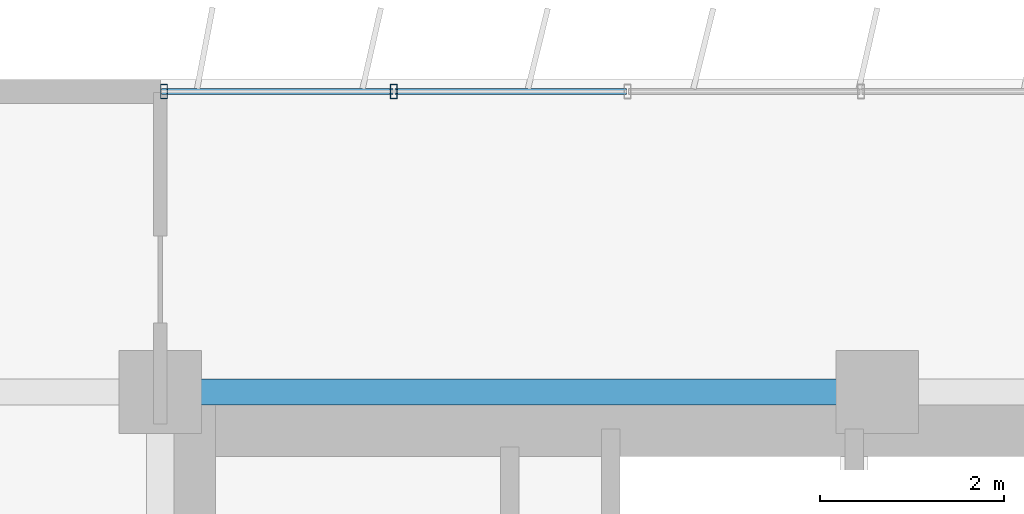
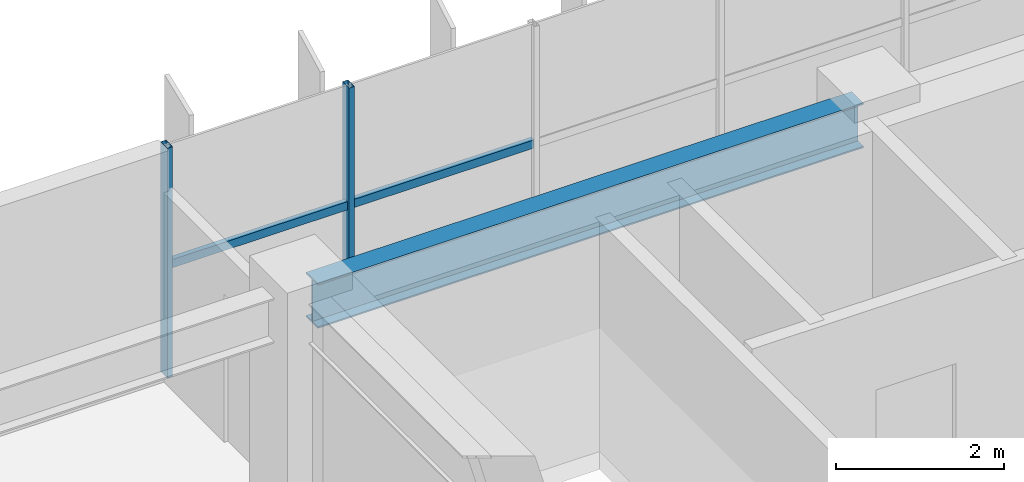
# One storey, part 5 of 21: 4 members, 1 beam, 1 element without a shape of its own.
"""IFC4 building model written with IfcOpenShell, lengths in metres."""

from ifc_helpers import new_model, si_unit, direction, frame, origin, origin_2d, place, context, subcontext, project, spatial, hollow_rectangle, i_section, extrude, source, transform, mapped, material, material_profile, profile_set, type_object, element, aggregate, save


model = new_model("IFC4")

# Units and contexts
model_context = context("Model", 3, precision=1e-05, world=origin(), true_north=direction((0.0, 1.0)))
body_context = subcontext(model_context, "Body", "Model", "MODEL_VIEW")
ifc_project = project(units=[si_unit("LENGTHUNIT", "METRE"), si_unit("AREAUNIT", "SQUARE_METRE"), si_unit("VOLUMEUNIT", "CUBIC_METRE"), si_unit("PLANEANGLEUNIT", "RADIAN"), si_unit("MASSUNIT", "GRAM", prefix="KILO")], contexts=[model_context])

# Site, building, storey
site_placement = place(None, origin())
site = spatial("IfcSite", under=ifc_project, at=site_placement, CompositionType="ELEMENT")
building_placement = place(site_placement, origin())
building = spatial("IfcBuilding", under=site, at=building_placement, Name="Trelvane Seafront Commons", CompositionType="ELEMENT")
storey_placement = place(building_placement, frame((0.0, 0.0, 37.89990234375)))
storey = spatial("IfcBuildingStorey", under=building, at=storey_placement, Name="L09", CompositionType="ELEMENT", Elevation=37.89990234375)

# Beam
ifc_material_1 = material(Name="Steel SM355 (S355)", Category="steel")
ifc_material_profile_1 = material_profile(ifc_material_1, i_section(OverallWidth=0.280029296875, OverallDepth=0.64990234375, WebThickness=0.012939453125, FlangeThickness=0.02197265625, at=origin_2d()), Name="H-650x280x13x22")
ifc_profile_set_1 = profile_set([ifc_material_profile_1], Name="Steel SM355 (S355)")
beam_type = type_object("IfcBeamType", Name="STR-BM-H650", PredefinedType="BEAM", material=ifc_profile_set_1)
shared_shape_1 = source(origin(), body_context, "Body", "SweptSolid", [
    extrude(i_section(OverallWidth=0.280029296875, OverallDepth=0.64990234375, WebThickness=0.012939453125, FlangeThickness=0.02197265625, at=origin_2d()), origin(), (0.0, 0.0, 1.0), 7.5),
])
beam_placement = place(storey_placement, frame((15.75, 45.10009765625, 3.01513671875), z_axis=(1.0, 0.0, 0.0), x_axis=(0.0, 1.0, 0.0)))
element("IfcBeam", 1, at=beam_placement, inside=storey, type_object=beam_type, Name="L09 Primary Girder G-30", PredefinedType="BEAM", context=body_context, shape_type="MappedRepresentation", body=[
    mapped(shared_shape_1, transform((0.0, 0.0, 0.0), x_axis=(1.0, 0.0, 0.0), y_axis=(0.0, 1.0, 0.0), z_axis=(0.0, 0.0, 1.0), scale=1.0)),
])

# Curtain wall, members
ifc_material_2 = material(Name="Anodised pale-silver aluminium", Category="aluminium")
curtain_wall_type = type_object("IfcCurtainWallType", Name="ARCH-CW2-LOWTOWER", PredefinedType="NOTDEFINED", material=ifc_material_2)
curtain_wall_placement = place(storey_placement, origin())
curtain_wall = element("IfcCurtainWall", 2, at=curtain_wall_placement, inside=storey, type_object=curtain_wall_type, Name="CW-L09-0033", PredefinedType="NOTDEFINED")
ifc_material_profile_2 = material_profile(ifc_material_2, hollow_rectangle(XDim=0.074951171875, YDim=0.159912109375, WallThickness=0.00390625, at=origin_2d()), Name="MULL-75x160x4")
ifc_profile_set_2 = profile_set([ifc_material_profile_2], Name="Anodised pale-silver aluminium")
member_type_1 = type_object("IfcMemberType", Name="ARCH-CW-MULL-160", PredefinedType="MULLION", material=ifc_profile_set_2)
shared_shape_2 = source(origin(), body_context, "Body", "SweptSolid", [
    extrude(hollow_rectangle(XDim=0.074951171875, YDim=0.159912109375, WallThickness=0.00390625, at=origin_2d()), origin(), (0.0, 0.0, 1.0), 3.340087890625),
])
member_1_placement = place(storey_placement, frame((15.639892578125, 48.3701171875, 0.0), z_axis=(0.0, 0.0, 1.0), x_axis=(1.0, 0.0, 0.0)))
member_1 = element("IfcMember", 3, at=member_1_placement, type_object=member_type_1, Name="CW-L09-0033-M00", PredefinedType="MULLION", context=body_context, shape_type="MappedRepresentation", body=[
    mapped(shared_shape_2, transform((0.0, 0.0, 0.0), x_axis=(1.0, 0.0, 0.0), y_axis=(0.0, 1.0, 0.0), z_axis=(0.0, 0.0, 1.0), scale=1.0)),
])
member_2_placement = place(storey_placement, frame((18.14111328125, 48.3701171875, 0.0), z_axis=(0.0, 0.0, 1.0), x_axis=(1.0, 0.0, 0.0)))
member_2 = element("IfcMember", 4, at=member_2_placement, type_object=member_type_1, Name="CW-L09-0033-M01", PredefinedType="MULLION", context=body_context, shape_type="MappedRepresentation", body=[
    mapped(shared_shape_2, transform((0.0, 0.0, 0.0), x_axis=(1.0, 0.0, 0.0), y_axis=(0.0, 1.0, 0.0), z_axis=(0.0, 0.0, 1.0), scale=1.0)),
])
ifc_material_profile_3 = material_profile(ifc_material_2, hollow_rectangle(XDim=0.070068359375, YDim=0.1201171875, WallThickness=0.00390625, at=origin_2d()), Name="TRAN-70x120x4")
ifc_profile_set_3 = profile_set([ifc_material_profile_3], Name="Anodised pale-silver aluminium")
member_type_2 = type_object("IfcMemberType", Name="ARCH-CW-TRAN-120", PredefinedType="USERDEFINED", material=ifc_profile_set_3)
shared_shape_3 = source(origin(), body_context, "Body", "SweptSolid", [
    extrude(hollow_rectangle(XDim=0.070068359375, YDim=0.1201171875, WallThickness=0.00390625, at=origin_2d()), origin(), (0.0, 0.0, 1.0), 2.51708984375),
])
member_3_placement = place(storey_placement, frame((15.612060546875, 48.3701171875, 1.60302734375), z_axis=(1.0, 0.0, 0.0), x_axis=(0.0, 1.0, 0.0)))
member_3 = element("IfcMember", 5, at=member_3_placement, type_object=member_type_2, Name="CW-L09-0033-T00", ObjectType="TRANSOM", PredefinedType="USERDEFINED", context=body_context, shape_type="MappedRepresentation", body=[
    mapped(shared_shape_3, transform((0.0, 0.0, 0.0), x_axis=(1.0, 0.0, 0.0), y_axis=(0.0, 1.0, 0.0), z_axis=(0.0, 0.0, 1.0), scale=1.0)),
])
member_4_placement = place(storey_placement, frame((18.1533203125, 48.3701171875, 1.60302734375), z_axis=(1.0, 0.0, 0.0), x_axis=(0.0, 1.0, 0.0)))
member_4 = element("IfcMember", 6, at=member_4_placement, type_object=member_type_2, Name="CW-L09-0033-T01", ObjectType="TRANSOM", PredefinedType="USERDEFINED", context=body_context, shape_type="MappedRepresentation", body=[
    mapped(shared_shape_3, transform((0.0, 0.0, 0.0), x_axis=(1.0, 0.0, 0.0), y_axis=(0.0, 1.0, 0.0), z_axis=(0.0, 0.0, 1.0), scale=1.0)),
])
aggregate(curtain_wall, [member_1, member_2, member_3, member_4])

save(model, "model.ifc")
